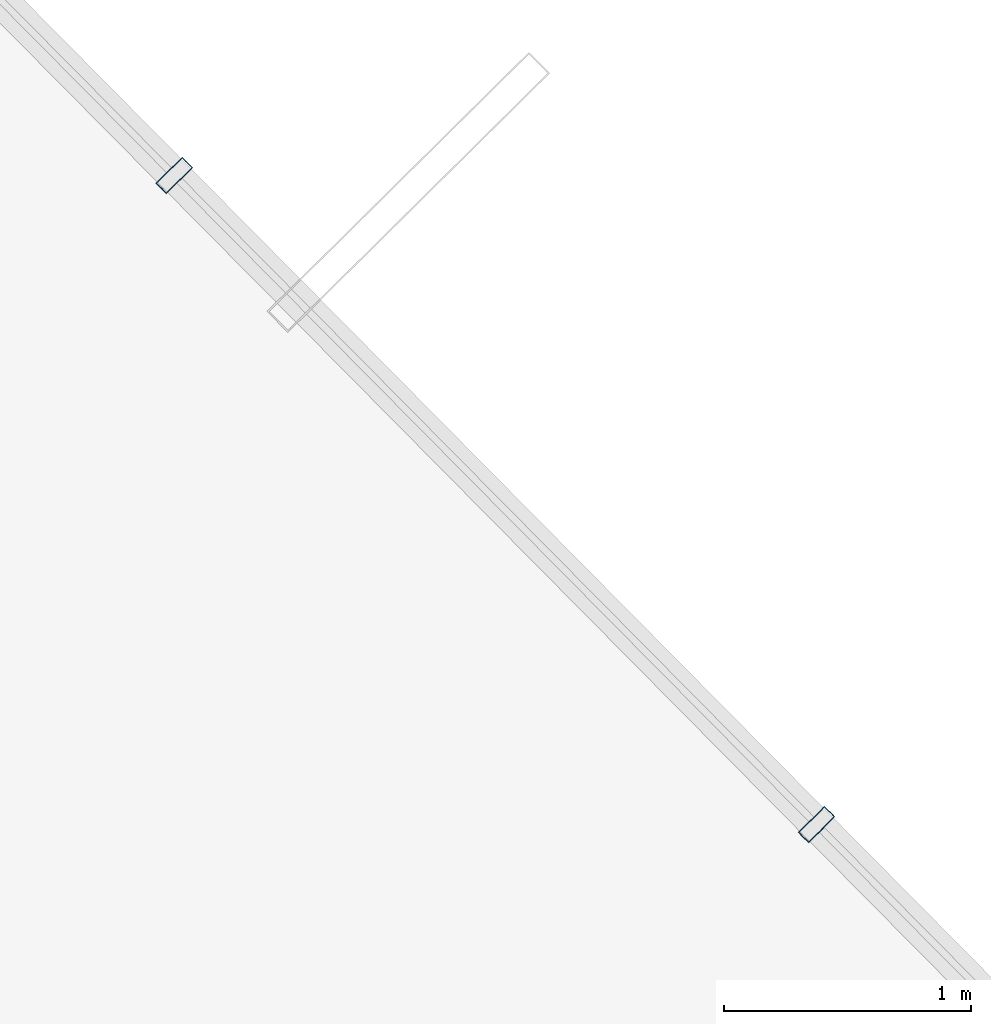
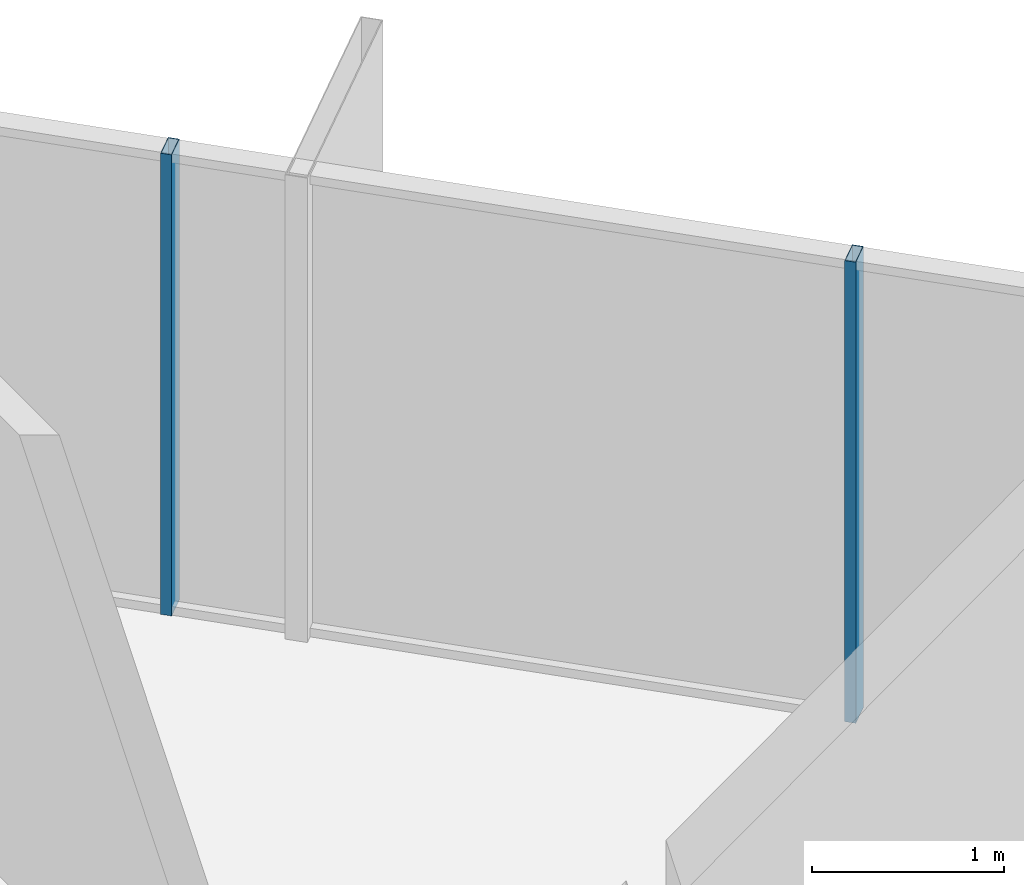
# One storey, part 16 of 29: 2 members, 1 element without a shape of its own.
"""IFC4 building model written with IfcOpenShell, lengths in metres."""

from ifc_helpers import new_model, si_unit, direction, frame, origin, origin_2d, place, context, subcontext, project, spatial, hollow_rectangle, extrude, source, transform, mapped, material, layer, layer_set, material_profile, profile_set, type_object, element, aggregate, save


model = new_model("IFC4")

# Units and contexts
model_context = context("Model", 3, precision=1e-05, world=origin(), true_north=direction((0.0, 1.0)))
body_context = subcontext(model_context, "Body", "Model", "MODEL_VIEW")
ifc_project = project(units=[si_unit("LENGTHUNIT", "METRE"), si_unit("AREAUNIT", "SQUARE_METRE"), si_unit("VOLUMEUNIT", "CUBIC_METRE"), si_unit("PLANEANGLEUNIT", "RADIAN"), si_unit("MASSUNIT", "GRAM", prefix="KILO")], contexts=[model_context])

# Site, building, storey
site_placement = place(None, origin())
site = spatial("IfcSite", under=ifc_project, at=site_placement, CompositionType="ELEMENT")
building_placement = place(site_placement, origin())
building = spatial("IfcBuilding", under=site, at=building_placement, Name="Veraguas Prism Commons", CompositionType="ELEMENT")
storey_placement = place(building_placement, frame((0.0, 0.0, 261.0)))
storey = spatial("IfcBuildingStorey", under=building, at=storey_placement, Name="L74", CompositionType="ELEMENT", Elevation=261.0)

# Curtain wall, members
ifc_material = material(Name="Anodised aluminium EN AW-6063 T6", Category="aluminium")
ifc_layer = layer(ifc_material, 0.14990234375, Name="Unitised Flush Curtain Wall Zone 4", Category="aluminium")
ifc_layer_set = layer_set([ifc_layer], Name="Anodised aluminium EN AW-6063 T6")
curtain_wall_type = type_object("IfcCurtainWallType", Name="Unitised Flush Curtain Wall Zone 4", PredefinedType="NOTDEFINED", material=ifc_layer_set)
curtain_wall_placement = place(storey_placement, origin())
curtain_wall = element("IfcCurtainWall", 1, at=curtain_wall_placement, inside=storey, type_object=curtain_wall_type, Name="Tower Facade Curtain Wall L74-F1", PredefinedType="NOTDEFINED")
ifc_material_profile = material_profile(ifc_material, hollow_rectangle(XDim=0.06005859375, YDim=0.14990234375, WallThickness=0.0029296875, at=origin_2d()), Name="AL60X150X3")
ifc_profile_set = profile_set([ifc_material_profile], Name="Anodised aluminium EN AW-6063 T6")
member_type = type_object("IfcMemberType", Name="Curtain Wall Mullion Upper AL 60x150x3", PredefinedType="MULLION", material=ifc_profile_set)
shared_shape = source(origin(), body_context, "Body", "SweptSolid", [
    extrude(hollow_rectangle(XDim=0.06005859375, YDim=0.14990234375, WallThickness=0.0029296875, at=origin_2d()), origin(), (0.0, 0.0, 1.0), 2.929931640625),
])
member_1_placement = place(storey_placement, frame((35.69580078125, 35.573974609375, 0.0), z_axis=(0.0, 0.0, 1.0), x_axis=(-0.703392221648, 0.710801929179, 0.0)))
member_1 = element("IfcMember", 2, at=member_1_placement, type_object=member_type, Name="CW-Z4 Mullion 3", PredefinedType="MULLION", context=body_context, shape_type="MappedRepresentation", body=[
    mapped(shared_shape, transform((0.0, 0.0, 0.0), scale=1.0)),
])
member_2_placement = place(storey_placement, frame((33.09912109375, 38.197998046875, 0.0), z_axis=(0.0, 0.0, 1.0), x_axis=(-0.703392221648, 0.710801929179, 0.0)))
member_2 = element("IfcMember", 3, at=member_2_placement, type_object=member_type, Name="CW-Z4 Mullion 4", PredefinedType="MULLION", context=body_context, shape_type="MappedRepresentation", body=[
    mapped(shared_shape, transform((0.0, 0.0, 0.0), scale=1.0)),
])
aggregate(curtain_wall, [member_1, member_2])

save(model, "model.ifc")
